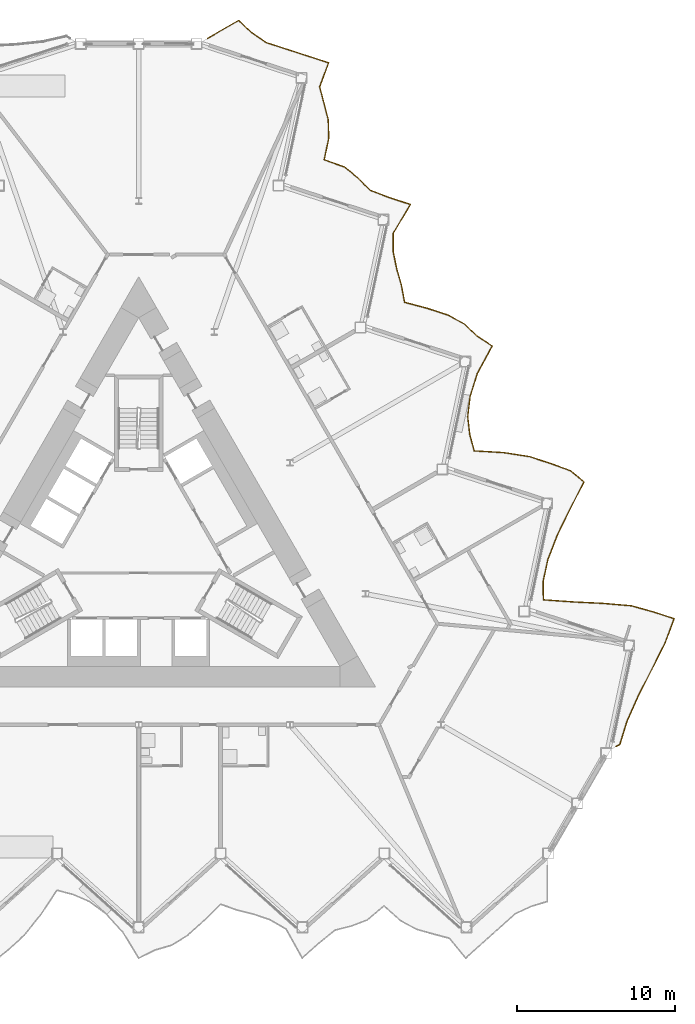
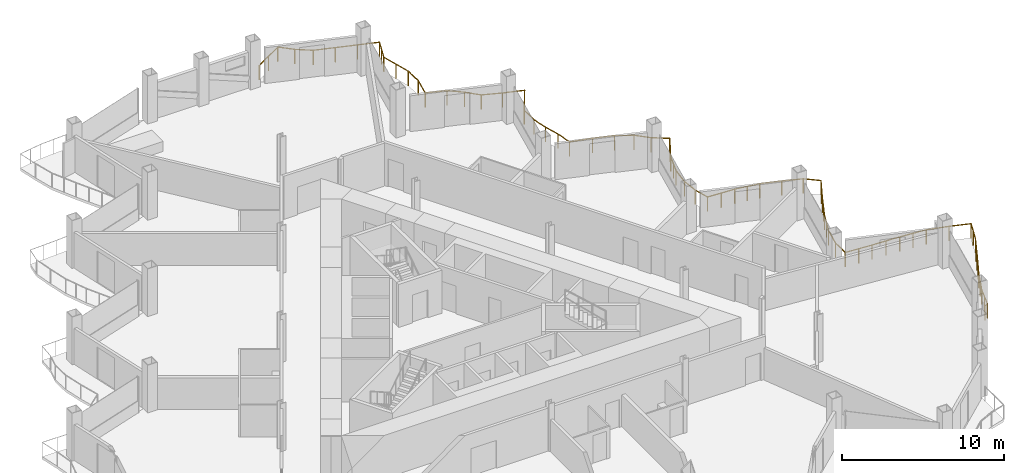
# One storey, part 21 of 23: 1 railing.
"""IFC4 building model written with IfcOpenShell, lengths in metres."""

from ifc_helpers import new_model, si_unit, direction, frame, origin, origin_2d, place, context, subcontext, project, spatial, circle, extrude, material, type_object, element, save


model = new_model("IFC4")

# Units and contexts
model_context = context("Model", 3, precision=1e-05, world=origin(), true_north=direction((0.0, 1.0)))
body_context = subcontext(model_context, "Body", "Model", "MODEL_VIEW")
ifc_project = project(units=[si_unit("LENGTHUNIT", "METRE"), si_unit("AREAUNIT", "SQUARE_METRE"), si_unit("VOLUMEUNIT", "CUBIC_METRE"), si_unit("PLANEANGLEUNIT", "RADIAN"), si_unit("MASSUNIT", "GRAM", prefix="KILO")], contexts=[model_context])

# Site, building, storey
site_placement = place(None, origin())
site = spatial("IfcSite", under=ifc_project, at=site_placement, CompositionType="ELEMENT")
building_placement = place(site_placement, origin())
building = spatial("IfcBuilding", under=site, at=building_placement, Name="Cormorant Prow Tower", CompositionType="ELEMENT")
storey_placement = place(building_placement, frame((0.0, 0.0, 259.800048828125)))
storey = spatial("IfcBuildingStorey", under=building, at=storey_placement, Name="L58", CompositionType="ELEMENT", Elevation=259.800048828125)

# Railing
ifc_material = material(Name="Aluminium 6063-T6", Category="aluminium")
railing_type = type_object("IfcRailingType", Name="Balcony guard 1100", PredefinedType="GUARDRAIL", material=ifc_material)
railing_placement = place(storey_placement, frame((30.246337890625, -12.441162109375, 0.0)))
element("IfcRailing", 1, at=railing_placement, inside=storey, type_object=railing_type, Name="Balcony guard ENE", PredefinedType="GUARDRAIL", context=body_context, shape_type="SweptSolid", body=[
    extrude(circle(Radius=0.02392578125, at=origin_2d()), frame((0.0, 0.0, 1.076171875), z_axis=(0.866065156741, 0.499931139538, 0.0), x_axis=(-0.499931139538, 0.866065156741, 0.0)), (0.0, 0.0, 1.0), 0.27001953125),
    extrude(circle(Radius=0.02392578125, at=origin_2d()), frame((0.23388671875, 0.135009765625, 1.076171875), z_axis=(0.294299972374, 0.955713098299, 0.0), x_axis=(-0.955713098299, 0.294299972374, 0.0)), (0.0, 0.0, 1.0), 1.522216796875),
    extrude(circle(Radius=0.02392578125, at=origin_2d()), frame((0.681884765625, 1.58984375, 1.076171875), z_axis=(0.407127228951, 0.913371457539, 0.0), x_axis=(-0.913371457539, 0.407127228951, 0.0)), (0.0, 0.0, 1.0), 1.763671875),
    extrude(circle(Radius=0.02392578125, at=origin_2d()), frame((1.39990234375, 3.20068359375, 1.076171875), z_axis=(0.453979632385, 0.891012061299, 0.0), x_axis=(-0.891012061299, 0.453979632385, 0.0)), (0.0, 0.0, 1.0), 1.901611328125),
    extrude(circle(Radius=0.02392578125, at=origin_2d()), frame((2.26318359375, 4.89501953125, 1.076171875), z_axis=(0.447057728956, 0.894505107297, 0.0), x_axis=(-0.894505107297, 0.447057728956, 0.0)), (0.0, 0.0, 1.0), 1.879638671875),
    extrude(circle(Radius=0.02392578125, at=origin_2d()), frame((3.103515625, 6.576416015625, 1.076171875), z_axis=(0.350630761082, 0.93651378494, 0.0), x_axis=(-0.93651378494, 0.350630761082, 0.0)), (0.0, 0.0, 1.0), 1.62939453125),
    extrude(circle(Radius=0.02392578125, at=origin_2d()), frame((3.6748046875, 8.102294921875, 1.076171875), z_axis=(-0.951021197096, 0.309125674563, 0.0), x_axis=(-0.309125674563, -0.951021197096, 0.0)), (0.0, 0.0, 1.0), 1.39404296875),
    extrude(circle(Radius=0.02392578125, at=origin_2d()), frame((2.34912109375, 8.533203125, 1.076171875), z_axis=(-0.963748634798, 0.26681186054, 0.0), x_axis=(-0.26681186054, -0.963748634798, 0.0)), (0.0, 0.0, 1.0), 1.453125),
    extrude(circle(Radius=0.02392578125, at=origin_2d()), frame((0.94873046875, 8.9208984375, 1.076171875), z_axis=(-0.996428689002, 0.084438544128, 0.0), x_axis=(-0.084438544128, -0.996428689002, 0.0)), (0.0, 0.0, 1.0), 1.81298828125),
    extrude(circle(Radius=0.02392578125, at=origin_2d()), frame((-0.857666015625, 9.073974609375, 1.076171875), z_axis=(-0.998803697457, 0.04889963136, 0.0), x_axis=(-0.04889963136, -0.998803697457, 0.0)), (0.0, 0.0, 1.0), 1.912109375),
    extrude(circle(Radius=0.02392578125, at=origin_2d()), frame((-2.767578125, 9.16748046875, 1.076171875), z_axis=(-0.997431119576, 0.071632127575, 0.0), x_axis=(-0.071632127575, -0.997431119576, 0.0)), (0.0, 0.0, 1.0), 1.84716796875),
    extrude(circle(Radius=0.02392578125, at=origin_2d()), frame((-4.610107421875, 9.2998046875, 1.076171875), z_axis=(-0.007378360333, 0.999972779529, 0.0), x_axis=(-0.999972779529, -0.007378360333, 0.0)), (0.0, 0.0, 1.0), 1.191162109375),
    extrude(circle(Radius=0.02392578125, at=origin_2d()), frame((-4.618896484375, 10.490966796875, 1.076171875), z_axis=(0.212161625073, 0.977234590488, 0.0), x_axis=(-0.977234590488, 0.212161625073, 0.0)), (0.0, 0.0, 1.0), 1.399169921875),
    extrude(circle(Radius=0.02392578125, at=origin_2d()), frame((-4.322021484375, 11.8583984375, 1.076171875), z_axis=(0.362524550887, 0.931974221749, 0.0), x_axis=(-0.931974221749, 0.362524550887, 0.0)), (0.0, 0.0, 1.0), 1.6552734375),
    extrude(circle(Radius=0.02392578125, at=origin_2d()), frame((-3.721923828125, 13.401123046875, 1.076171875), z_axis=(0.43871164054, 0.898627896548, 0.0), x_axis=(-0.898627896548, 0.43871164054, 0.0)), (0.0, 0.0, 1.0), 1.853759765625),
    extrude(circle(Radius=0.02392578125, at=origin_2d()), frame((-2.90869140625, 15.06689453125, 1.076171875), z_axis=(0.456845668936, 0.889545971142, 0.0), x_axis=(-0.889545971142, 0.456845668936, 0.0)), (0.0, 0.0, 1.0), 1.9111328125),
    extrude(circle(Radius=0.02392578125, at=origin_2d()), frame((-2.03564453125, 16.766845703125, 1.076171875), z_axis=(-0.771413907703, 0.636333704122, 0.0), x_axis=(-0.636333704122, -0.771413907703, 0.0)), (0.0, 0.0, 1.0), 1.106201171875),
    extrude(circle(Radius=0.02392578125, at=origin_2d()), frame((-2.888916015625, 17.470703125, 1.076171875), z_axis=(-0.93895619029, 0.344036731638, 0.0), x_axis=(-0.344036731638, -0.93895619029, 0.0)), (0.0, 0.0, 1.0), 1.349609375),
    extrude(circle(Radius=0.02392578125, at=origin_2d()), frame((-4.15625, 17.93505859375, 1.076171875), z_axis=(-0.951021197096, 0.309125674563, 0.0), x_axis=(-0.309125674563, -0.951021197096, 0.0)), (0.0, 0.0, 1.0), 1.39404296875),
    extrude(circle(Radius=0.02392578125, at=origin_2d()), frame((-5.48193359375, 18.365966796875, 1.076171875), z_axis=(-0.987880369937, 0.155217185561, 0.0), x_axis=(-0.155217185561, -0.987880369937, 0.0)), (0.0, 0.0, 1.0), 1.6484375),
    extrude(circle(Radius=0.02392578125, at=origin_2d()), frame((-7.1103515625, 18.621826171875, 1.076171875), z_axis=(-0.998283298158, 0.058570100048, 0.0), x_axis=(-0.058570100048, -0.998283298158, 0.0)), (0.0, 0.0, 1.0), 1.884033203125),
    extrude(circle(Radius=0.02392578125, at=origin_2d()), frame((-8.9912109375, 18.732177734375, 1.076171875), z_axis=(-0.261786926871, 0.965125693845, 0.0), x_axis=(-0.965125693845, -0.261786926871, 0.0)), (0.0, 0.0, 1.0), 1.071533203125),
    extrude(circle(Radius=0.02392578125, at=origin_2d()), frame((-9.271728515625, 19.766357421875, 1.076171875), z_axis=(-0.114156334584, 0.993462798133, 0.0), x_axis=(-0.993462798133, -0.114156334584, 0.0)), (0.0, 0.0, 1.0), 1.129150390625),
    extrude(circle(Radius=0.02392578125, at=origin_2d()), frame((-9.400634765625, 20.88818359375, 1.076171875), z_axis=(0.112782096262, 0.993619745558, 0.0), x_axis=(-0.993619745558, 0.112782096262, 0.0)), (0.0, 0.0, 1.0), 1.2880859375),
    extrude(circle(Radius=0.02392578125, at=origin_2d()), frame((-9.25537109375, 22.16796875, 1.076171875), z_axis=(0.300902773755, 0.953654822641, 0.0), x_axis=(-0.953654822641, 0.300902773755, 0.0)), (0.0, 0.0, 1.0), 1.533447265625),
    extrude(circle(Radius=0.02392578125, at=origin_2d()), frame((-8.7939453125, 23.63037109375, 1.076171875), z_axis=(0.475674539098, 0.879621357662, 0.0), x_axis=(-0.879621357662, 0.475674539098, 0.0)), (0.0, 0.0, 1.0), 1.9775390625),
    extrude(circle(Radius=0.02392578125, at=origin_2d()), frame((-7.853271484375, 25.369873046875, 1.076171875), z_axis=(-0.832828955903, 0.553530423924, 0.0), x_axis=(-0.553530423924, -0.832828955903, 0.0)), (0.0, 0.0, 1.0), 1.156494140625),
    extrude(circle(Radius=0.02392578125, at=origin_2d()), frame((-8.81640625, 26.010009765625, 1.076171875), z_axis=(-0.72265659814, 0.691207234601, 0.0), x_axis=(-0.691207234601, -0.72265659814, 0.0)), (0.0, 0.0, 1.0), 1.0791015625),
    extrude(circle(Radius=0.02392578125, at=origin_2d()), frame((-9.59619140625, 26.755859375, 1.076171875), z_axis=(-0.877880193336, 0.478880325496, 0.0), x_axis=(-0.478880325496, -0.877880193336, 0.0)), (0.0, 0.0, 1.0), 1.21337890625),
    extrude(circle(Radius=0.02392578125, at=origin_2d()), frame((-10.661376953125, 27.3369140625, 1.076171875), z_axis=(-0.951021197096, 0.309125674563, 0.0), x_axis=(-0.309125674563, -0.951021197096, 0.0)), (0.0, 0.0, 1.0), 1.39404296875),
    extrude(circle(Radius=0.02392578125, at=origin_2d()), frame((-11.987060546875, 27.767822265625, 1.076171875), z_axis=(-0.966223886396, 0.257704096509, 0.0), x_axis=(-0.257704096509, -0.966223886396, 0.0)), (0.0, 0.0, 1.0), 1.466552734375),
    extrude(circle(Radius=0.02392578125, at=origin_2d()), frame((-13.404052734375, 28.145751953125, 1.076171875), z_axis=(-0.180721649259, 0.983534282823, 0.0), x_axis=(-0.983534282823, -0.180721649259, 0.0)), (0.0, 0.0, 1.0), 1.099609375),
    extrude(circle(Radius=0.02392578125, at=origin_2d()), frame((-13.602783203125, 29.227294921875, 1.076171875), z_axis=(-0.276291580603, 0.961073859018, 0.0), x_axis=(-0.961073859018, -0.276291580603, 0.0)), (0.0, 0.0, 1.0), 1.0673828125),
    extrude(circle(Radius=0.02392578125, at=origin_2d()), frame((-13.897705078125, 30.253173828125, 1.076171875), z_axis=(-0.202006381345, 0.979384205456, 0.0), x_axis=(-0.979384205456, -0.202006381345, 0.0)), (0.0, 0.0, 1.0), 1.09130859375),
    extrude(circle(Radius=0.02392578125, at=origin_2d()), frame((-14.1181640625, 31.322021484375, 1.076171875), z_axis=(0.002649267247, 0.999996490685, 0.0), x_axis=(-0.999996490685, 0.002649267247, 0.0)), (0.0, 0.0, 1.0), 1.197998046875),
    extrude(circle(Radius=0.02392578125, at=origin_2d()), frame((-14.114990234375, 32.52001953125, 1.076171875), z_axis=(0.510813011647, 0.859691844286, 0.0), x_axis=(-0.859691844286, 0.510813011647, 0.0)), (0.0, 0.0, 1.0), 2.1181640625),
    extrude(circle(Radius=0.02392578125, at=origin_2d()), frame((-13.032958984375, 34.341064453125, 1.076171875), z_axis=(-0.95107267583, 0.308967256015, 0.0), x_axis=(-0.308967256015, -0.95107267583, 0.0)), (0.0, 0.0, 1.0), 1.393798828125),
    extrude(circle(Radius=0.02392578125, at=origin_2d()), frame((-14.358642578125, 34.771728515625, 1.076171875), z_axis=(-0.933830730851, 0.357715202526, 0.0), x_axis=(-0.357715202526, -0.933830730851, 0.0)), (0.0, 0.0, 1.0), 1.33349609375),
    extrude(circle(Radius=0.02392578125, at=origin_2d()), frame((-15.60400390625, 35.248779296875, 1.076171875), z_axis=(-0.696399223042, 0.717654598081, 0.0), x_axis=(-0.717654598081, -0.696399223042, 0.0)), (0.0, 0.0, 1.0), 1.068115234375),
    extrude(circle(Radius=0.02392578125, at=origin_2d()), frame((-16.347900390625, 36.015380859375, 1.076171875), z_axis=(-0.776490869114, 0.630128502912, 0.0), x_axis=(-0.630128502912, -0.776490869114, 0.0)), (0.0, 0.0, 1.0), 1.109375),
    extrude(circle(Radius=0.02392578125, at=origin_2d()), frame((-17.209228515625, 36.71435546875, 1.076171875), z_axis=(-0.942429568351, 0.334404707948, 0.0), x_axis=(-0.334404707948, -0.942429568351, 0.0)), (0.0, 0.0, 1.0), 1.361572265625),
    extrude(circle(Radius=0.02392578125, at=origin_2d()), frame((-18.492431640625, 37.169677734375, 1.076171875), z_axis=(0.207890175504, 0.978152173708, 0.0), x_axis=(-0.978152173708, 0.207890175504, 0.0)), (0.0, 0.0, 1.0), 1.39404296875),
    extrude(circle(Radius=0.02392578125, at=origin_2d()), frame((-18.20263671875, 38.533203125, 1.076171875), z_axis=(-0.02904544062, 0.999578092186, 0.0), x_axis=(-0.999578092186, -0.02904544062, 0.0)), (0.0, 0.0, 1.0), 1.1767578125),
    extrude(circle(Radius=0.02392578125, at=origin_2d()), frame((-18.23681640625, 39.70947265625, 1.076171875), z_axis=(-0.250970040909, 0.967994854618, 0.0), x_axis=(-0.967994854618, -0.250970040909, 0.0)), (0.0, 0.0, 1.0), 1.074951171875),
    extrude(circle(Radius=0.02392578125, at=origin_2d()), frame((-18.506591796875, 40.75, 1.076171875), z_axis=(-0.258356799597, 0.966049566069, 0.0), x_axis=(-0.966049566069, -0.258356799597, 0.0)), (0.0, 0.0, 1.0), 1.072509765625),
    extrude(circle(Radius=0.02392578125, at=origin_2d()), frame((-18.78369140625, 41.7861328125, 1.076171875), z_axis=(0.350630761082, 0.93651378494, 0.0), x_axis=(-0.93651378494, 0.350630761082, 0.0)), (0.0, 0.0, 1.0), 1.62939453125),
    extrude(circle(Radius=0.02392578125, at=origin_2d()), frame((-18.21240234375, 43.31201171875, 1.076171875), z_axis=(-0.951021197096, 0.309125674563, 0.0), x_axis=(-0.309125674563, -0.951021197096, 0.0)), (0.0, 0.0, 1.0), 1.39404296875),
    extrude(circle(Radius=0.02392578125, at=origin_2d()), frame((-19.5380859375, 43.742919921875, 1.076171875), z_axis=(-0.95107267583, 0.308967256015, 0.0), x_axis=(-0.308967256015, -0.95107267583, 0.0)), (0.0, 0.0, 1.0), 1.393798828125),
    extrude(circle(Radius=0.02392578125, at=origin_2d()), frame((-20.86376953125, 44.173583984375, 1.076171875), z_axis=(-0.95107267583, 0.308967256015, 0.0), x_axis=(-0.308967256015, -0.95107267583, 0.0)), (0.0, 0.0, 1.0), 1.393798828125),
    extrude(circle(Radius=0.02392578125, at=origin_2d()), frame((-22.189453125, 44.604248046875, 1.076171875), z_axis=(-0.81973305197, 0.572745775635, 0.0), x_axis=(-0.572745775635, -0.81973305197, 0.0)), (0.0, 0.0, 1.0), 1.1435546875),
    extrude(circle(Radius=0.02392578125, at=origin_2d()), frame((-23.126953125, 45.25927734375, 1.076171875), z_axis=(-0.726267218488, 0.687412487048, 0.0), x_axis=(-0.687412487048, -0.726267218488, 0.0)), (0.0, 0.0, 1.0), 1.080810546875),
    extrude(circle(Radius=0.02392578125, at=origin_2d()), frame((-23.911865234375, 46.002197265625, 1.076171875), z_axis=(-0.866052595322, -0.499952899918, 0.0), x_axis=(0.499952899918, -0.866052595322, 0.0)), (0.0, 0.0, 1.0), 2.292724609375),
    extrude(circle(Radius=0.02099609375, at=origin_2d()), origin(), (0.0, 0.0, 1.0), 1.052001953125),
    extrude(circle(Radius=0.02099609375, at=origin_2d()), frame((0.23388671875, 0.135009765625, 0.0)), (0.0, 0.0, 1.0), 1.052001953125),
    extrude(circle(Radius=0.02099609375, at=origin_2d()), frame((0.4580078125, 0.8623046875, 0.0)), (0.0, 0.0, 1.0), 1.052001953125),
    extrude(circle(Radius=0.02099609375, at=origin_2d()), frame((0.681884765625, 1.58984375, 0.0)), (0.0, 0.0, 1.0), 1.052001953125),
    extrude(circle(Radius=0.02099609375, at=origin_2d()), frame((1.041015625, 2.395263671875, 0.0)), (0.0, 0.0, 1.0), 1.052001953125),
    extrude(circle(Radius=0.02099609375, at=origin_2d()), frame((1.39990234375, 3.20068359375, 0.0)), (0.0, 0.0, 1.0), 1.052001953125),
    extrude(circle(Radius=0.02099609375, at=origin_2d()), frame((1.83154296875, 4.0478515625, 0.0)), (0.0, 0.0, 1.0), 1.052001953125),
    extrude(circle(Radius=0.02099609375, at=origin_2d()), frame((2.26318359375, 4.89501953125, 0.0)), (0.0, 0.0, 1.0), 1.052001953125),
    extrude(circle(Radius=0.02099609375, at=origin_2d()), frame((2.683349609375, 5.73583984375, 0.0)), (0.0, 0.0, 1.0), 1.052001953125),
    extrude(circle(Radius=0.02099609375, at=origin_2d()), frame((3.103515625, 6.576416015625, 0.0)), (0.0, 0.0, 1.0), 1.052001953125),
    extrude(circle(Radius=0.02099609375, at=origin_2d()), frame((3.38916015625, 7.33935546875, 0.0)), (0.0, 0.0, 1.0), 1.052001953125),
    extrude(circle(Radius=0.02099609375, at=origin_2d()), frame((3.6748046875, 8.102294921875, 0.0)), (0.0, 0.0, 1.0), 1.052001953125),
    extrude(circle(Radius=0.02099609375, at=origin_2d()), frame((2.34912109375, 8.533203125, 0.0)), (0.0, 0.0, 1.0), 1.052001953125),
    extrude(circle(Radius=0.02099609375, at=origin_2d()), frame((0.94873046875, 8.9208984375, 0.0)), (0.0, 0.0, 1.0), 1.052001953125),
    extrude(circle(Radius=0.02099609375, at=origin_2d()), frame((0.04541015625, 8.99755859375, 0.0)), (0.0, 0.0, 1.0), 1.052001953125),
    extrude(circle(Radius=0.02099609375, at=origin_2d()), frame((-0.857666015625, 9.073974609375, 0.0)), (0.0, 0.0, 1.0), 1.052001953125),
    extrude(circle(Radius=0.02099609375, at=origin_2d()), frame((-1.8125, 9.12060546875, 0.0)), (0.0, 0.0, 1.0), 1.052001953125),
    extrude(circle(Radius=0.02099609375, at=origin_2d()), frame((-2.767578125, 9.16748046875, 0.0)), (0.0, 0.0, 1.0), 1.052001953125),
    extrude(circle(Radius=0.02099609375, at=origin_2d()), frame((-3.68896484375, 9.233642578125, 0.0)), (0.0, 0.0, 1.0), 1.052001953125),
    extrude(circle(Radius=0.02099609375, at=origin_2d()), frame((-4.610107421875, 9.2998046875, 0.0)), (0.0, 0.0, 1.0), 1.052001953125),
    extrude(circle(Radius=0.02099609375, at=origin_2d()), frame((-4.618896484375, 10.490966796875, 0.0)), (0.0, 0.0, 1.0), 1.052001953125),
    extrude(circle(Radius=0.02099609375, at=origin_2d()), frame((-4.322021484375, 11.8583984375, 0.0)), (0.0, 0.0, 1.0), 1.052001953125),
    extrude(circle(Radius=0.02099609375, at=origin_2d()), frame((-4.02197265625, 12.6298828125, 0.0)), (0.0, 0.0, 1.0), 1.052001953125),
    extrude(circle(Radius=0.02099609375, at=origin_2d()), frame((-3.721923828125, 13.401123046875, 0.0)), (0.0, 0.0, 1.0), 1.052001953125),
    extrude(circle(Radius=0.02099609375, at=origin_2d()), frame((-3.3154296875, 14.23388671875, 0.0)), (0.0, 0.0, 1.0), 1.052001953125),
    extrude(circle(Radius=0.02099609375, at=origin_2d()), frame((-2.90869140625, 15.06689453125, 0.0)), (0.0, 0.0, 1.0), 1.052001953125),
    extrude(circle(Radius=0.02099609375, at=origin_2d()), frame((-2.47216796875, 15.9169921875, 0.0)), (0.0, 0.0, 1.0), 1.052001953125),
    extrude(circle(Radius=0.02099609375, at=origin_2d()), frame((-2.03564453125, 16.766845703125, 0.0)), (0.0, 0.0, 1.0), 1.052001953125),
    extrude(circle(Radius=0.02099609375, at=origin_2d()), frame((-2.888916015625, 17.470703125, 0.0)), (0.0, 0.0, 1.0), 1.052001953125),
    extrude(circle(Radius=0.02099609375, at=origin_2d()), frame((-4.15625, 17.93505859375, 0.0)), (0.0, 0.0, 1.0), 1.052001953125),
    extrude(circle(Radius=0.02099609375, at=origin_2d()), frame((-5.48193359375, 18.365966796875, 0.0)), (0.0, 0.0, 1.0), 1.052001953125),
    extrude(circle(Radius=0.02099609375, at=origin_2d()), frame((-6.296142578125, 18.493896484375, 0.0)), (0.0, 0.0, 1.0), 1.052001953125),
    extrude(circle(Radius=0.02099609375, at=origin_2d()), frame((-7.1103515625, 18.621826171875, 0.0)), (0.0, 0.0, 1.0), 1.052001953125),
    extrude(circle(Radius=0.02099609375, at=origin_2d()), frame((-8.05078125, 18.677001953125, 0.0)), (0.0, 0.0, 1.0), 1.052001953125),
    extrude(circle(Radius=0.02099609375, at=origin_2d()), frame((-8.9912109375, 18.732177734375, 0.0)), (0.0, 0.0, 1.0), 1.052001953125),
    extrude(circle(Radius=0.02099609375, at=origin_2d()), frame((-9.271728515625, 19.766357421875, 0.0)), (0.0, 0.0, 1.0), 1.052001953125),
    extrude(circle(Radius=0.02099609375, at=origin_2d()), frame((-9.400634765625, 20.88818359375, 0.0)), (0.0, 0.0, 1.0), 1.052001953125),
    extrude(circle(Radius=0.02099609375, at=origin_2d()), frame((-9.25537109375, 22.16796875, 0.0)), (0.0, 0.0, 1.0), 1.052001953125),
    extrude(circle(Radius=0.02099609375, at=origin_2d()), frame((-9.024658203125, 22.899169921875, 0.0)), (0.0, 0.0, 1.0), 1.052001953125),
    extrude(circle(Radius=0.02099609375, at=origin_2d()), frame((-8.7939453125, 23.63037109375, 0.0)), (0.0, 0.0, 1.0), 1.052001953125),
    extrude(circle(Radius=0.02099609375, at=origin_2d()), frame((-8.32373046875, 24.5, 0.0)), (0.0, 0.0, 1.0), 1.052001953125),
    extrude(circle(Radius=0.02099609375, at=origin_2d()), frame((-7.853271484375, 25.369873046875, 0.0)), (0.0, 0.0, 1.0), 1.052001953125),
    extrude(circle(Radius=0.02099609375, at=origin_2d()), frame((-8.81640625, 26.010009765625, 0.0)), (0.0, 0.0, 1.0), 1.052001953125),
    extrude(circle(Radius=0.02099609375, at=origin_2d()), frame((-9.59619140625, 26.755859375, 0.0)), (0.0, 0.0, 1.0), 1.052001953125),
    extrude(circle(Radius=0.02099609375, at=origin_2d()), frame((-10.661376953125, 27.3369140625, 0.0)), (0.0, 0.0, 1.0), 1.052001953125),
    extrude(circle(Radius=0.02099609375, at=origin_2d()), frame((-11.987060546875, 27.767822265625, 0.0)), (0.0, 0.0, 1.0), 1.052001953125),
    extrude(circle(Radius=0.02099609375, at=origin_2d()), frame((-13.404052734375, 28.145751953125, 0.0)), (0.0, 0.0, 1.0), 1.052001953125),
    extrude(circle(Radius=0.02099609375, at=origin_2d()), frame((-13.602783203125, 29.227294921875, 0.0)), (0.0, 0.0, 1.0), 1.052001953125),
    extrude(circle(Radius=0.02099609375, at=origin_2d()), frame((-13.897705078125, 30.253173828125, 0.0)), (0.0, 0.0, 1.0), 1.052001953125),
    extrude(circle(Radius=0.02099609375, at=origin_2d()), frame((-14.1181640625, 31.322021484375, 0.0)), (0.0, 0.0, 1.0), 1.052001953125),
    extrude(circle(Radius=0.02099609375, at=origin_2d()), frame((-14.114990234375, 32.52001953125, 0.0)), (0.0, 0.0, 1.0), 1.052001953125),
    extrude(circle(Radius=0.02099609375, at=origin_2d()), frame((-13.573974609375, 33.4306640625, 0.0)), (0.0, 0.0, 1.0), 1.052001953125),
    extrude(circle(Radius=0.02099609375, at=origin_2d()), frame((-13.032958984375, 34.341064453125, 0.0)), (0.0, 0.0, 1.0), 1.052001953125),
    extrude(circle(Radius=0.02099609375, at=origin_2d()), frame((-14.358642578125, 34.771728515625, 0.0)), (0.0, 0.0, 1.0), 1.052001953125),
    extrude(circle(Radius=0.02099609375, at=origin_2d()), frame((-15.60400390625, 35.248779296875, 0.0)), (0.0, 0.0, 1.0), 1.052001953125),
    extrude(circle(Radius=0.02099609375, at=origin_2d()), frame((-16.347900390625, 36.015380859375, 0.0)), (0.0, 0.0, 1.0), 1.052001953125),
    extrude(circle(Radius=0.02099609375, at=origin_2d()), frame((-17.209228515625, 36.71435546875, 0.0)), (0.0, 0.0, 1.0), 1.052001953125),
    extrude(circle(Radius=0.02099609375, at=origin_2d()), frame((-18.492431640625, 37.169677734375, 0.0)), (0.0, 0.0, 1.0), 1.052001953125),
    extrude(circle(Radius=0.02099609375, at=origin_2d()), frame((-18.20263671875, 38.533203125, 0.0)), (0.0, 0.0, 1.0), 1.052001953125),
    extrude(circle(Radius=0.02099609375, at=origin_2d()), frame((-18.23681640625, 39.70947265625, 0.0)), (0.0, 0.0, 1.0), 1.052001953125),
    extrude(circle(Radius=0.02099609375, at=origin_2d()), frame((-18.506591796875, 40.75, 0.0)), (0.0, 0.0, 1.0), 1.052001953125),
    extrude(circle(Radius=0.02099609375, at=origin_2d()), frame((-18.78369140625, 41.7861328125, 0.0)), (0.0, 0.0, 1.0), 1.052001953125),
    extrude(circle(Radius=0.02099609375, at=origin_2d()), frame((-18.498046875, 42.549072265625, 0.0)), (0.0, 0.0, 1.0), 1.052001953125),
    extrude(circle(Radius=0.02099609375, at=origin_2d()), frame((-18.21240234375, 43.31201171875, 0.0)), (0.0, 0.0, 1.0), 1.052001953125),
    extrude(circle(Radius=0.02099609375, at=origin_2d()), frame((-19.5380859375, 43.742919921875, 0.0)), (0.0, 0.0, 1.0), 1.052001953125),
    extrude(circle(Radius=0.02099609375, at=origin_2d()), frame((-20.86376953125, 44.173583984375, 0.0)), (0.0, 0.0, 1.0), 1.052001953125),
    extrude(circle(Radius=0.02099609375, at=origin_2d()), frame((-22.189453125, 44.604248046875, 0.0)), (0.0, 0.0, 1.0), 1.052001953125),
    extrude(circle(Radius=0.02099609375, at=origin_2d()), frame((-23.126953125, 45.25927734375, 0.0)), (0.0, 0.0, 1.0), 1.052001953125),
    extrude(circle(Radius=0.02099609375, at=origin_2d()), frame((-23.911865234375, 46.002197265625, 0.0)), (0.0, 0.0, 1.0), 1.052001953125),
    extrude(circle(Radius=0.02099609375, at=origin_2d()), frame((-24.90478515625, 45.42919921875, 0.0)), (0.0, 0.0, 1.0), 1.052001953125),
    extrude(circle(Radius=0.02099609375, at=origin_2d()), frame((-25.8974609375, 44.85595703125, 0.0)), (0.0, 0.0, 1.0), 1.052001953125),
])

save(model, "model.ifc")
